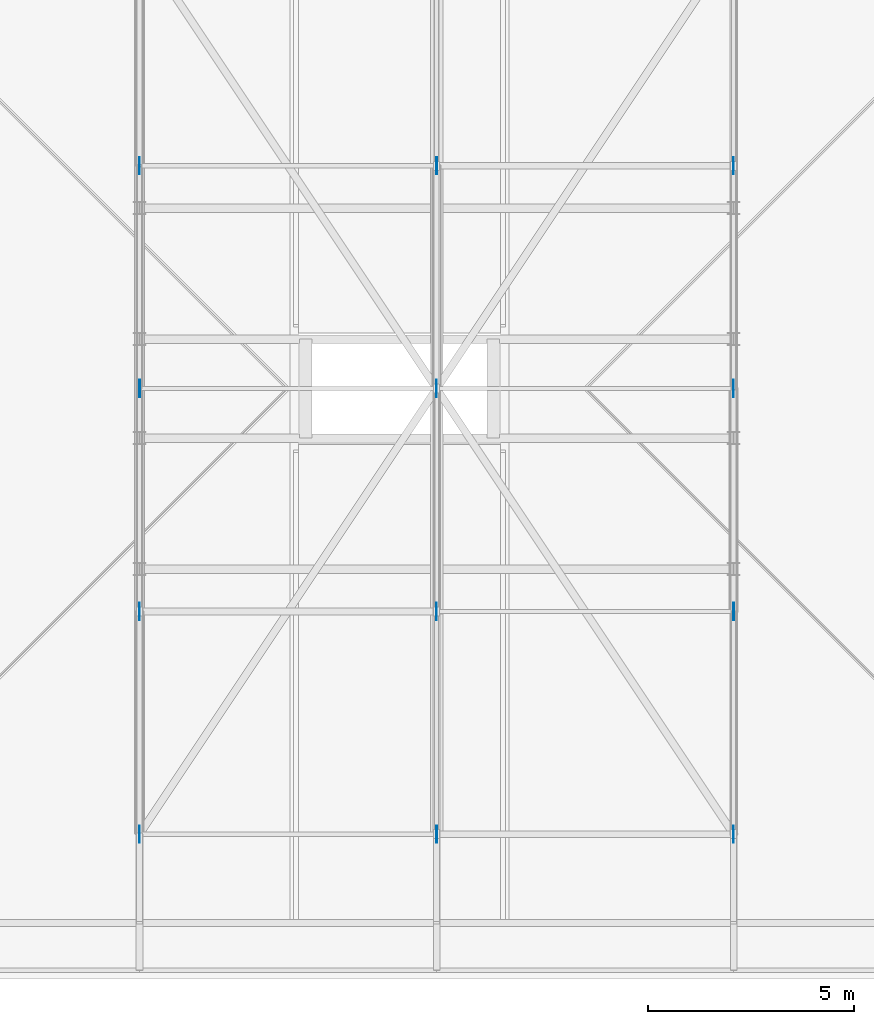
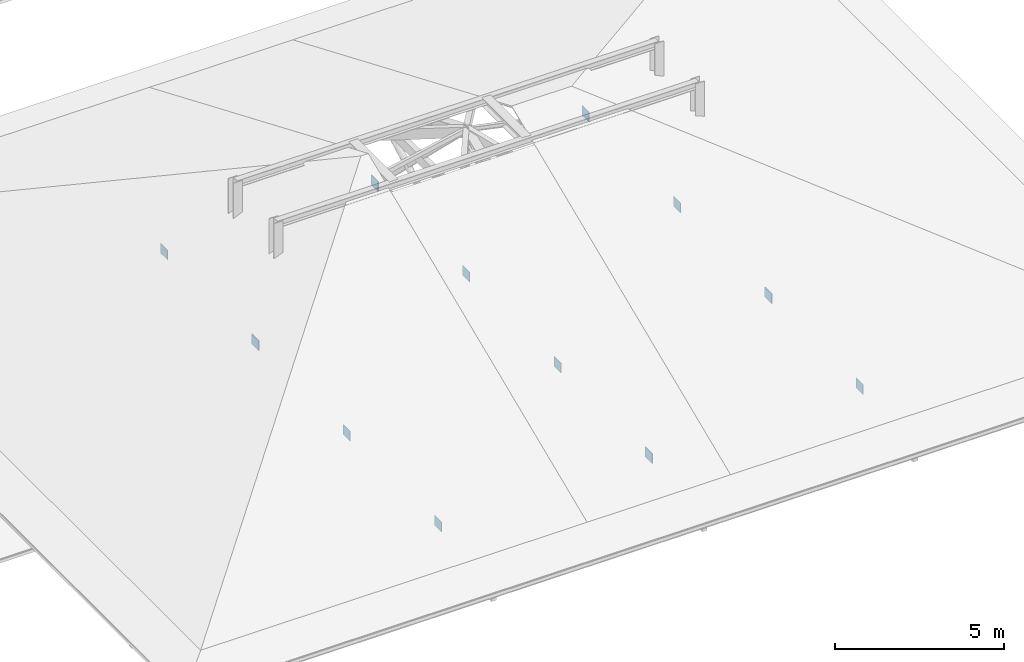
# One storey, part 72 of 110: 12 plates.
"""IFC4 building model written with IfcOpenShell, lengths in metres."""

import ifcopenshell
import ifcopenshell.guid

model = None  # the IFC model being written
_history = None  # IfcOwnerHistory: only IFC2X3 demands one
_inside = {}  # id of a spatial element -> (the spatial element, [elements in it])
_under = {}  # id of a project, library or spatial element -> (it, [spatial elements below it])
_declared = {}  # id of a project -> (the project, [libraries it declares])
_typed = {}  # id of a type object -> (the type object, [elements of that type])
_made_of = {}  # id of a material, layer set ... -> (it, [elements and type objects made of it])


def new_model(schema):
    """Start an empty IFC model of exactly this schema.

    Asked for "IFC4X3", IfcOpenShell would pick the latest addendum, in which some entities
    have other attributes; the version numbers below select the first issue.
    IFC2X3 requires an IfcOwnerHistory on every rooted entity: one is made here for all.
    """
    global model, _history
    if schema == "IFC4X3":
        model = ifcopenshell.file(schema_version=(4, 3, 0, 0))
    else:
        model = ifcopenshell.file(schema=schema)
    _inside.clear()
    _under.clear()
    _declared.clear()
    _typed.clear()
    _made_of.clear()
    _history = None
    if model.schema == "IFC2X3":
        org = make("IfcOrganization", Name="unknown")
        user = make(
            "IfcPersonAndOrganization",
            ThePerson=make("IfcPerson", FamilyName="unknown"),
            TheOrganization=org,
        )
        app = make(
            "IfcApplication",
            ApplicationDeveloper=org,
            Version="unknown",
            ApplicationFullName="unknown",
            ApplicationIdentifier="unknown",
        )
        _history = make(
            "IfcOwnerHistory",
            OwningUser=user,
            OwningApplication=app,
            ChangeAction="ADDED",
            CreationDate=0,
        )
    return model


def make(cls, **values):
    """One entity of the class cls with the attributes given. An attribute that is None is left unset."""
    return model.create_entity(
        cls, **{name: value for name, value in values.items() if value is not None}
    )


def rooted(cls, **values):
    """An entity with a GlobalId (a new one), such as an element, a storey or a relation."""
    return make(cls, GlobalId=ifcopenshell.guid.new(), OwnerHistory=_history, **values)


def si_unit(unit_type, name, prefix=None):
    """IfcSIUnit, for example si_unit("LENGTHUNIT", "METRE", prefix="MILLI")."""
    return make("IfcSIUnit", UnitType=unit_type, Prefix=prefix, Name=name)


def assignment(units):
    """IfcUnitAssignment: the units of a project."""
    return None if units is None else make("IfcUnitAssignment", Units=units)


def point(xyz):
    """IfcCartesianPoint."""
    return None if xyz is None else make("IfcCartesianPoint", Coordinates=xyz)


def direction(xyz):
    """IfcDirection."""
    return None if xyz is None else make("IfcDirection", DirectionRatios=xyz)


def frame(location, z_axis=None, x_axis=None):
    """IfcAxis2Placement3D, a coordinate frame: its origin and axes. An axis left out is left unset."""
    return make(
        "IfcAxis2Placement3D",
        Location=point(location),
        Axis=direction(z_axis),
        RefDirection=direction(x_axis),
    )


def frame_2d(location, x_axis=None):
    """IfcAxis2Placement2D, a coordinate frame in the plane: its origin and x axis."""
    return make(
        "IfcAxis2Placement2D", Location=point(location), RefDirection=direction(x_axis)
    )


def origin():
    """The frame at (0, 0, 0) with its axes left unset."""
    return frame((0.0, 0.0, 0.0))


def origin_2d():
    """The frame at (0, 0) in the plane with its x axis left unset."""
    return frame_2d((0.0, 0.0))


def place(relative_to, where):
    """IfcLocalPlacement: puts the frame where relative to a parent placement (None: the world)."""
    return make(
        "IfcLocalPlacement", PlacementRelTo=relative_to, RelativePlacement=where
    )


def context(
    kind, dimensions, precision=None, world=None, true_north=None, identifier=None
):
    """IfcGeometricRepresentationContext, for example the 3D "Model" context."""
    return make(
        "IfcGeometricRepresentationContext",
        ContextIdentifier=identifier,
        ContextType=kind,
        CoordinateSpaceDimension=dimensions,
        Precision=precision,
        WorldCoordinateSystem=world,
        TrueNorth=true_north,
    )


def subcontext(parent, identifier, kind, view, scale=None):
    """IfcGeometricRepresentationSubContext, for example "Body" below "Model"."""
    return make(
        "IfcGeometricRepresentationSubContext",
        ContextIdentifier=identifier,
        ContextType=kind,
        ParentContext=parent,
        TargetScale=scale,
        TargetView=view,
    )


def project(units=None, contexts=None):
    """IfcProject with its units and contexts."""
    return rooted(
        "IfcProject",
        Name="project",
        RepresentationContexts=contexts,
        UnitsInContext=assignment(units),
    )


def spatial(cls, under=None, at=None, **own):
    """A site, building, storey or space (cls), placed at a placement, below another one or the project."""
    s = rooted(cls, ObjectPlacement=at, **own)
    if under is not None:
        _under.setdefault(under.id(), (under, []))[1].append(s)
    return s


def profile(cls, at=None, kind="AREA", **sizes):
    """A parametric profile (cls). Its sizes go by their IFC names, for example OverallWidth=200.0."""
    return make(cls, ProfileType=kind, Position=at, **sizes)


def rectangle(**sizes):
    """IfcRectangleProfileDef."""
    return profile("IfcRectangleProfileDef", **sizes)


def extrude(swept, where, along, depth):
    """IfcExtrudedAreaSolid: the profile swept, set in the frame where, extruded along a direction by depth."""
    return make(
        "IfcExtrudedAreaSolid",
        SweptArea=swept,
        Position=where,
        ExtrudedDirection=direction(along),
        Depth=depth,
    )


def shape(context_of_items, identifier, shape_type, items):
    """IfcShapeRepresentation: the items that make up one representation, for example the "Body"."""
    return make(
        "IfcShapeRepresentation",
        ContextOfItems=context_of_items,
        RepresentationIdentifier=identifier,
        RepresentationType=shape_type,
        Items=items,
    )


def material(Name=None, Category=None):
    """IfcMaterial."""
    return make("IfcMaterial", Name=Name, Category=Category)


def layer(
    of_material, thickness, ventilated=None, Name=None, Category=None, Priority=None
):
    """IfcMaterialLayer: one layer of a wall or slab, of a material (None: an air gap)."""
    return make(
        "IfcMaterialLayer",
        Material=of_material,
        LayerThickness=thickness,
        IsVentilated=ventilated,
        Name=Name,
        Category=Category,
        Priority=Priority,
    )


def layer_set(layers, Name=None):
    """IfcMaterialLayerSet."""
    return make("IfcMaterialLayerSet", MaterialLayers=layers, LayerSetName=Name)


def made_of(thing, what):
    """Note that an element or type object is made of a material, layer set ...; save() writes the relation."""
    if what is not None:
        _made_of.setdefault(what.id(), (what, []))[1].append(thing)
    return thing


def type_object(cls, material=None, **own):
    """A type object (cls), such as IfcWallType, which elements share."""
    return made_of(rooted(cls, **own), material)


def element(
    cls,
    number,
    at=None,
    inside=None,
    cuts=None,
    type_object=None,
    material=None,
    context=None,
    identifier="Body",
    shape_type=None,
    held_by="IfcProductDefinitionShape",
    body=None,
    shapes=None,
    **own,
):
    """One element of the class cls, such as IfcWall. Its Tag is "e" and its number.

    at: its placement. inside: the storey or other place that contains it. cuts: it is an
    opening in that element (IfcRelVoidsElement). A single representation is given by context,
    identifier, shape_type and body (its items); several are given by shapes. held_by: the class
    of the entity that holds the representations. save() writes the other relations.
    """
    e = rooted(cls, Tag="e%d" % number, ObjectPlacement=at, **own)
    if body is not None:
        shapes = [shape(context, identifier, shape_type, body)]
    if shapes is not None:
        e.Representation = make(held_by, Representations=shapes)
    if inside is not None:
        _inside.setdefault(inside.id(), (inside, []))[1].append(e)
    if cuts is not None:
        rooted(
            "IfcRelVoidsElement", RelatingBuildingElement=cuts, RelatedOpeningElement=e
        )
    if type_object is not None:
        _typed.setdefault(type_object.id(), (type_object, []))[1].append(e)
    return made_of(e, material)


def aggregate(whole, parts):
    """IfcRelAggregates: a whole, such as a stair, and the parts it consists of."""
    return rooted("IfcRelAggregates", RelatingObject=whole, RelatedObjects=parts)


def save(model, path):
    """Write the relations noted so far, then the file.

    IfcRelAggregates (storeys below a building ...), IfcRelContainedInSpatialStructure (elements
    in a storey), IfcRelDefinesByType, IfcRelAssociatesMaterial and IfcRelDeclares: one each for
    every whole, place, type object, material and project.
    """
    for whole, parts in _under.values():
        aggregate(whole, parts)
    for where, things in _inside.values():
        rooted(
            "IfcRelContainedInSpatialStructure",
            RelatedElements=things,
            RelatingStructure=where,
        )
    for kind, things in _typed.values():
        rooted("IfcRelDefinesByType", RelatedObjects=things, RelatingType=kind)
    for what, things in _made_of.values():
        rooted("IfcRelAssociatesMaterial", RelatedObjects=things, RelatingMaterial=what)
    for by, libraries in _declared.values():
        rooted("IfcRelDeclares", RelatingContext=by, RelatedDefinitions=libraries)
    model.write(path)


model = new_model("IFC4")

# Units and contexts
model_context = context("Model", 3, precision=1e-05, world=origin(), true_north=direction((0.0, 1.0)))
body_context = subcontext(model_context, "Body", "Model", "MODEL_VIEW")
ifc_project = project(units=[si_unit("LENGTHUNIT", "METRE"), si_unit("AREAUNIT", "SQUARE_METRE"), si_unit("VOLUMEUNIT", "CUBIC_METRE"), si_unit("PLANEANGLEUNIT", "RADIAN"), si_unit("MASSUNIT", "GRAM", prefix="KILO")], contexts=[model_context])

# Site, building, storey
site_placement = place(None, origin())
site = spatial("IfcSite", under=ifc_project, at=site_placement, CompositionType="ELEMENT")
building_placement = place(site_placement, origin())
building = spatial("IfcBuilding", under=site, at=building_placement, Name="Steenspoor Specialist Clinic", CompositionType="ELEMENT")
storey_placement = place(building_placement, frame((0.0, 0.0, 4.800048828125)))
storey = spatial("IfcBuildingStorey", under=building, at=storey_placement, Name="L01", CompositionType="ELEMENT", Elevation=4.800048828125)

# Plates
ifc_material = material(Name="Steel A572 Grade 50", Category="steel")
ifc_layer_1 = layer(ifc_material, 0.010009765625)
ifc_layer_set_1 = layer_set([ifc_layer_1], Name="Steel A572 Grade 50")
plate_type_1 = type_object("IfcPlateType", Name="PL-CAP-10", PredefinedType="SHEET", material=ifc_layer_set_1)
for number, where, z_axis, x_axis, name in (
    (1, (15.60009765625, 34.64990234375, 0.19970703125), (0.0, 0.0, 1.0), (1.0, 0.0, 0.0), "Truss Gusset Plate GP-10"),
    (2, (15.60009765625, 50.85009765625, 0.19970703125), (0.0, 0.0, 1.0), (1.0, 0.0, 0.0), "Truss Gusset Plate GP-10"),
    (3, (22.800048828125, 40.050048828125, 0.1513671875), (0.0, 0.0, 1.0), (1.0, 0.0, 0.0), "Truss Gusset Plate GP-10"),
    (4, (30.0, 45.449951171875, 0.12841796875), (0.0, 0.0, 1.0), (1.0, 0.0, 0.0), "Truss Gusset Plate GP-10"),
):
    element("IfcPlate", number, at=place(storey_placement, frame(where, z_axis=z_axis, x_axis=x_axis)), inside=storey, type_object=plate_type_1, Name=name, PredefinedType="SHEET", context=body_context, shape_type="SweptSolid", body=[
        extrude(rectangle(XDim=0.010009765625, YDim=0.419921875, at=origin_2d()), origin(), (0.0, 0.0, 1.0), 0.360107421875),
    ])
ifc_layer_2 = layer(ifc_material, 0.01611328125)
ifc_layer_set_2 = layer_set([ifc_layer_2], Name="Steel A572 Grade 50")
plate_type_2 = type_object("IfcPlateType", Name="PL-GUS-16", PredefinedType="SHEET", material=ifc_layer_set_2)
for number, where, z_axis, x_axis, name in (
    (5, (15.60009765625, 40.050048828125, 0.19970703125), (0.0, 0.0, 1.0), (1.0, 0.0, 0.0), "Truss Gusset Plate GP-16"),
    (6, (22.800048828125, 45.449951171875, 0.1513671875), (0.0, 0.0, 1.0), (1.0, 0.0, 0.0), "Truss Gusset Plate GP-16"),
    (7, (30.0, 34.64990234375, 0.12841796875), (0.0, 0.0, 1.0), (1.0, 0.0, 0.0), "Truss Gusset Plate GP-16"),
    (8, (30.0, 50.85009765625, 0.12841796875), (0.0, 0.0, 1.0), (1.0, 0.0, 0.0), "Truss Gusset Plate GP-16"),
):
    element("IfcPlate", number, at=place(storey_placement, frame(where, z_axis=z_axis, x_axis=x_axis)), inside=storey, type_object=plate_type_2, Name=name, PredefinedType="SHEET", context=body_context, shape_type="SweptSolid", body=[
        extrude(rectangle(XDim=0.01611328125, YDim=0.419921875, at=origin_2d()), origin(), (0.0, 0.0, 1.0), 0.360107421875),
    ])
ifc_layer_3 = layer(ifc_material, 0.02392578125)
ifc_layer_set_3 = layer_set([ifc_layer_3], Name="Steel A572 Grade 50")
plate_type_3 = type_object("IfcPlateType", Name="PL-GUS-24", PredefinedType="SHEET", material=ifc_layer_set_3)
for number, where, z_axis, x_axis, name in (
    (9, (15.60009765625, 45.449951171875, 0.19970703125), (0.0, 0.0, 1.0), (1.0, 0.0, 0.0), "Truss Gusset Plate GP-24"),
    (10, (22.800048828125, 34.64990234375, 0.1513671875), (0.0, 0.0, 1.0), (1.0, 0.0, 0.0), "Truss Gusset Plate GP-24"),
    (11, (22.800048828125, 50.85009765625, 0.1513671875), (0.0, 0.0, 1.0), (1.0, 0.0, 0.0), "Truss Gusset Plate GP-24"),
    (12, (30.0, 40.050048828125, 0.12841796875), (0.0, 0.0, 1.0), (1.0, 0.0, 0.0), "Truss Gusset Plate GP-24"),
):
    element("IfcPlate", number, at=place(storey_placement, frame(where, z_axis=z_axis, x_axis=x_axis)), inside=storey, type_object=plate_type_3, Name=name, PredefinedType="SHEET", context=body_context, shape_type="SweptSolid", body=[
        extrude(rectangle(XDim=0.02392578125, YDim=0.419921875, at=origin_2d()), origin(), (0.0, 0.0, 1.0), 0.360107421875),
    ])

save(model, "model.ifc")
